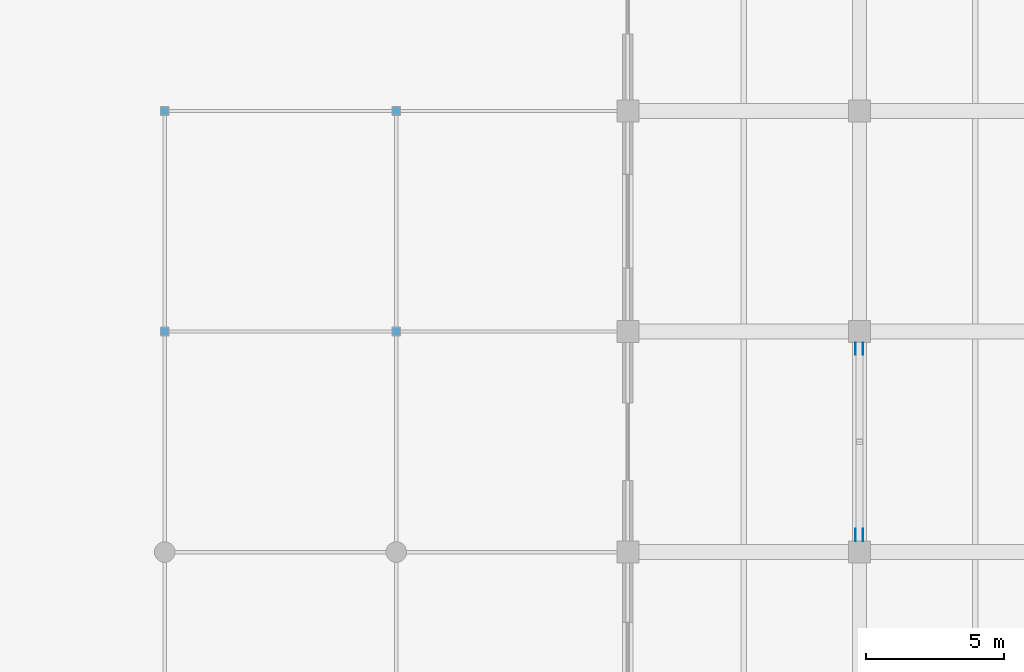
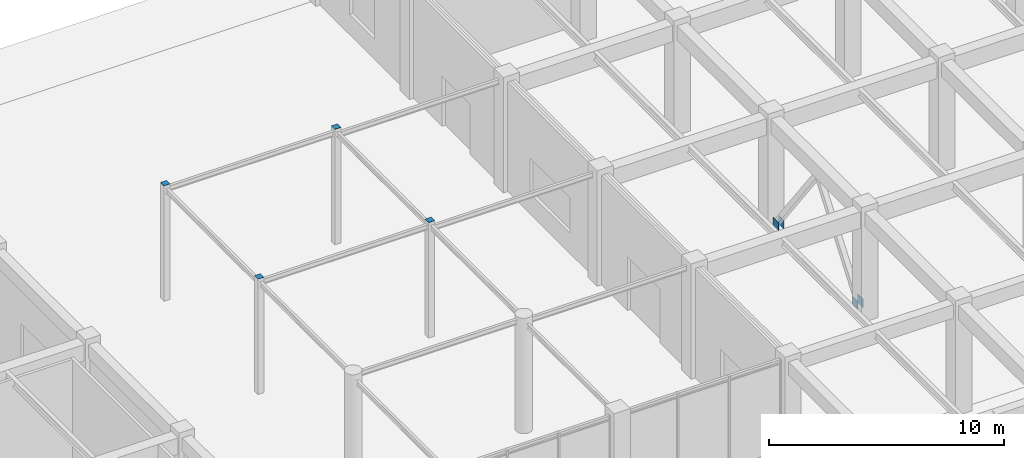
# One storey, part 65 of 76: 8 discrete accessories.
"""IFC4 building model written with IfcOpenShell, lengths in metres."""

import ifcopenshell
import ifcopenshell.guid

model = None  # the IFC model being written
_history = None  # IfcOwnerHistory: only IFC2X3 demands one
_inside = {}  # id of a spatial element -> (the spatial element, [elements in it])
_under = {}  # id of a project, library or spatial element -> (it, [spatial elements below it])
_declared = {}  # id of a project -> (the project, [libraries it declares])
_typed = {}  # id of a type object -> (the type object, [elements of that type])
_made_of = {}  # id of a material, layer set ... -> (it, [elements and type objects made of it])


def new_model(schema):
    """Start an empty IFC model of exactly this schema.

    Asked for "IFC4X3", IfcOpenShell would pick the latest addendum, in which some entities
    have other attributes; the version numbers below select the first issue.
    IFC2X3 requires an IfcOwnerHistory on every rooted entity: one is made here for all.
    """
    global model, _history
    if schema == "IFC4X3":
        model = ifcopenshell.file(schema_version=(4, 3, 0, 0))
    else:
        model = ifcopenshell.file(schema=schema)
    _inside.clear()
    _under.clear()
    _declared.clear()
    _typed.clear()
    _made_of.clear()
    _history = None
    if model.schema == "IFC2X3":
        org = make("IfcOrganization", Name="unknown")
        user = make(
            "IfcPersonAndOrganization",
            ThePerson=make("IfcPerson", FamilyName="unknown"),
            TheOrganization=org,
        )
        app = make(
            "IfcApplication",
            ApplicationDeveloper=org,
            Version="unknown",
            ApplicationFullName="unknown",
            ApplicationIdentifier="unknown",
        )
        _history = make(
            "IfcOwnerHistory",
            OwningUser=user,
            OwningApplication=app,
            ChangeAction="ADDED",
            CreationDate=0,
        )
    return model


def make(cls, **values):
    """One entity of the class cls with the attributes given. An attribute that is None is left unset."""
    return model.create_entity(
        cls, **{name: value for name, value in values.items() if value is not None}
    )


def rooted(cls, **values):
    """An entity with a GlobalId (a new one), such as an element, a storey or a relation."""
    return make(cls, GlobalId=ifcopenshell.guid.new(), OwnerHistory=_history, **values)


def si_unit(unit_type, name, prefix=None):
    """IfcSIUnit, for example si_unit("LENGTHUNIT", "METRE", prefix="MILLI")."""
    return make("IfcSIUnit", UnitType=unit_type, Prefix=prefix, Name=name)


def assignment(units):
    """IfcUnitAssignment: the units of a project."""
    return None if units is None else make("IfcUnitAssignment", Units=units)


def point(xyz):
    """IfcCartesianPoint."""
    return None if xyz is None else make("IfcCartesianPoint", Coordinates=xyz)


def direction(xyz):
    """IfcDirection."""
    return None if xyz is None else make("IfcDirection", DirectionRatios=xyz)


def frame(location, z_axis=None, x_axis=None):
    """IfcAxis2Placement3D, a coordinate frame: its origin and axes. An axis left out is left unset."""
    return make(
        "IfcAxis2Placement3D",
        Location=point(location),
        Axis=direction(z_axis),
        RefDirection=direction(x_axis),
    )


def frame_2d(location, x_axis=None):
    """IfcAxis2Placement2D, a coordinate frame in the plane: its origin and x axis."""
    return make(
        "IfcAxis2Placement2D", Location=point(location), RefDirection=direction(x_axis)
    )


def origin():
    """The frame at (0, 0, 0) with its axes left unset."""
    return frame((0.0, 0.0, 0.0))


def origin_2d():
    """The frame at (0, 0) in the plane with its x axis left unset."""
    return frame_2d((0.0, 0.0))


def place(relative_to, where):
    """IfcLocalPlacement: puts the frame where relative to a parent placement (None: the world)."""
    return make(
        "IfcLocalPlacement", PlacementRelTo=relative_to, RelativePlacement=where
    )


def context(
    kind, dimensions, precision=None, world=None, true_north=None, identifier=None
):
    """IfcGeometricRepresentationContext, for example the 3D "Model" context."""
    return make(
        "IfcGeometricRepresentationContext",
        ContextIdentifier=identifier,
        ContextType=kind,
        CoordinateSpaceDimension=dimensions,
        Precision=precision,
        WorldCoordinateSystem=world,
        TrueNorth=true_north,
    )


def subcontext(parent, identifier, kind, view, scale=None):
    """IfcGeometricRepresentationSubContext, for example "Body" below "Model"."""
    return make(
        "IfcGeometricRepresentationSubContext",
        ContextIdentifier=identifier,
        ContextType=kind,
        ParentContext=parent,
        TargetScale=scale,
        TargetView=view,
    )


def project(units=None, contexts=None):
    """IfcProject with its units and contexts."""
    return rooted(
        "IfcProject",
        Name="project",
        RepresentationContexts=contexts,
        UnitsInContext=assignment(units),
    )


def spatial(cls, under=None, at=None, **own):
    """A site, building, storey or space (cls), placed at a placement, below another one or the project."""
    s = rooted(cls, ObjectPlacement=at, **own)
    if under is not None:
        _under.setdefault(under.id(), (under, []))[1].append(s)
    return s


def profile(cls, at=None, kind="AREA", **sizes):
    """A parametric profile (cls). Its sizes go by their IFC names, for example OverallWidth=200.0."""
    return make(cls, ProfileType=kind, Position=at, **sizes)


def rectangle(**sizes):
    """IfcRectangleProfileDef."""
    return profile("IfcRectangleProfileDef", **sizes)


def extrude(swept, where, along, depth):
    """IfcExtrudedAreaSolid: the profile swept, set in the frame where, extruded along a direction by depth."""
    return make(
        "IfcExtrudedAreaSolid",
        SweptArea=swept,
        Position=where,
        ExtrudedDirection=direction(along),
        Depth=depth,
    )


def shape(context_of_items, identifier, shape_type, items):
    """IfcShapeRepresentation: the items that make up one representation, for example the "Body"."""
    return make(
        "IfcShapeRepresentation",
        ContextOfItems=context_of_items,
        RepresentationIdentifier=identifier,
        RepresentationType=shape_type,
        Items=items,
    )


def material(Name=None, Category=None):
    """IfcMaterial."""
    return make("IfcMaterial", Name=Name, Category=Category)


def layer(
    of_material, thickness, ventilated=None, Name=None, Category=None, Priority=None
):
    """IfcMaterialLayer: one layer of a wall or slab, of a material (None: an air gap)."""
    return make(
        "IfcMaterialLayer",
        Material=of_material,
        LayerThickness=thickness,
        IsVentilated=ventilated,
        Name=Name,
        Category=Category,
        Priority=Priority,
    )


def layer_set(layers, Name=None):
    """IfcMaterialLayerSet."""
    return make("IfcMaterialLayerSet", MaterialLayers=layers, LayerSetName=Name)


def made_of(thing, what):
    """Note that an element or type object is made of a material, layer set ...; save() writes the relation."""
    if what is not None:
        _made_of.setdefault(what.id(), (what, []))[1].append(thing)
    return thing


def type_object(cls, material=None, **own):
    """A type object (cls), such as IfcWallType, which elements share."""
    return made_of(rooted(cls, **own), material)


def element(
    cls,
    number,
    at=None,
    inside=None,
    cuts=None,
    type_object=None,
    material=None,
    context=None,
    identifier="Body",
    shape_type=None,
    held_by="IfcProductDefinitionShape",
    body=None,
    shapes=None,
    **own,
):
    """One element of the class cls, such as IfcWall. Its Tag is "e" and its number.

    at: its placement. inside: the storey or other place that contains it. cuts: it is an
    opening in that element (IfcRelVoidsElement). A single representation is given by context,
    identifier, shape_type and body (its items); several are given by shapes. held_by: the class
    of the entity that holds the representations. save() writes the other relations.
    """
    e = rooted(cls, Tag="e%d" % number, ObjectPlacement=at, **own)
    if body is not None:
        shapes = [shape(context, identifier, shape_type, body)]
    if shapes is not None:
        e.Representation = make(held_by, Representations=shapes)
    if inside is not None:
        _inside.setdefault(inside.id(), (inside, []))[1].append(e)
    if cuts is not None:
        rooted(
            "IfcRelVoidsElement", RelatingBuildingElement=cuts, RelatedOpeningElement=e
        )
    if type_object is not None:
        _typed.setdefault(type_object.id(), (type_object, []))[1].append(e)
    return made_of(e, material)


def aggregate(whole, parts):
    """IfcRelAggregates: a whole, such as a stair, and the parts it consists of."""
    return rooted("IfcRelAggregates", RelatingObject=whole, RelatedObjects=parts)


def save(model, path):
    """Write the relations noted so far, then the file.

    IfcRelAggregates (storeys below a building ...), IfcRelContainedInSpatialStructure (elements
    in a storey), IfcRelDefinesByType, IfcRelAssociatesMaterial and IfcRelDeclares: one each for
    every whole, place, type object, material and project.
    """
    for whole, parts in _under.values():
        aggregate(whole, parts)
    for where, things in _inside.values():
        rooted(
            "IfcRelContainedInSpatialStructure",
            RelatedElements=things,
            RelatingStructure=where,
        )
    for kind, things in _typed.values():
        rooted("IfcRelDefinesByType", RelatedObjects=things, RelatingType=kind)
    for what, things in _made_of.values():
        rooted("IfcRelAssociatesMaterial", RelatedObjects=things, RelatingMaterial=what)
    for by, libraries in _declared.values():
        rooted("IfcRelDeclares", RelatingContext=by, RelatedDefinitions=libraries)
    model.write(path)


model = new_model("IFC4")

# Units and contexts
model_context = context("Model", 3, precision=1e-05, world=origin(), true_north=direction((0.0, 1.0)))
body_context = subcontext(model_context, "Body", "Model", "MODEL_VIEW")
ifc_project = project(units=[si_unit("LENGTHUNIT", "METRE"), si_unit("AREAUNIT", "SQUARE_METRE"), si_unit("VOLUMEUNIT", "CUBIC_METRE"), si_unit("PLANEANGLEUNIT", "RADIAN"), si_unit("MASSUNIT", "GRAM", prefix="KILO")], contexts=[model_context])

# Site, building, storey
site_placement = place(None, origin())
site = spatial("IfcSite", under=ifc_project, at=site_placement, CompositionType="ELEMENT")
building_placement = place(site_placement, origin())
building = spatial("IfcBuilding", under=site, at=building_placement, Name="Naruveol Harbour Congress Hotel", CompositionType="ELEMENT")
storey_placement = place(building_placement, origin())
storey = spatial("IfcBuildingStorey", under=building, at=storey_placement, Name="L00", CompositionType="ELEMENT", Elevation=0.0)

# Discrete accessories
ifc_material_1 = material(Name="Steel SN490", Category="steel")
ifc_layer_1 = layer(ifc_material_1, 0.02001953125)
ifc_layer_set_1 = layer_set([ifc_layer_1], Name="Steel SN490")
discrete_accessory_type_1 = type_object("IfcDiscreteAccessoryType", Name="STEEL BRACE GUSSET PLATE 20", PredefinedType="USERDEFINED", material=ifc_layer_set_1)
for number, where, z_axis, x_axis, name in (
    (1, (75.465087890625, 80.625, 0.10986328125), (0.0, 0.0, 1.0), (0.0, 1.0, 0.0), "Brace gusset plate Lateral chevron brace L00 #8A (A)"),
    (2, (75.735107421875, 80.625, 0.10986328125), (0.0, 0.0, 1.0), (0.0, 1.0, 0.0), "Brace gusset plate Lateral chevron brace L00 #8A (B)"),
    (3, (75.735107421875, 87.375, 0.10986328125), (0.0, 0.0, 1.0), (0.0, -1.0, 0.0), "Brace gusset plate Lateral chevron brace L00 #8B (A)"),
    (4, (75.465087890625, 87.375, 0.10986328125), (0.0, 0.0, 1.0), (0.0, -1.0, 0.0), "Brace gusset plate Lateral chevron brace L00 #8B (B)"),
):
    element("IfcDiscreteAccessory", number, at=place(storey_placement, frame(where, z_axis=z_axis, x_axis=x_axis)), inside=storey, type_object=discrete_accessory_type_1, Name=name, ObjectType="BRACE GUSSET PLATE", PredefinedType="USERDEFINED", context=body_context, shape_type="SweptSolid", body=[
        extrude(rectangle(XDim=0.449951171875, YDim=0.02001953125, at=origin_2d()), origin(), (0.0, 0.0, 1.0), 0.449951171875),
    ])
ifc_material_2 = material(Name="Steel SN490", Category="steel")
ifc_layer_2 = layer(ifc_material_2, 0.011962890625)
ifc_layer_set_2 = layer_set([ifc_layer_2], Name="Steel SN490")
discrete_accessory_type_2 = type_object("IfcDiscreteAccessoryType", Name="STEEL COLUMN END CAP PLATE 12", PredefinedType="USERDEFINED", material=ifc_layer_set_2)
for number, where, z_axis, x_axis, name in (
    (5, (50.39990234375, 88.0, 6.0), (0.0, 0.0, 1.0), (1.0, 0.0, 0.0), "Column end cap plate SC-S300 (COL-L00-0504-0880)"),
    (6, (50.39990234375, 96.0, 6.0), (0.0, 0.0, 1.0), (1.0, 0.0, 0.0), "Column end cap plate SC-S300 (COL-L00-0504-0960)"),
    (7, (58.800048828125, 88.0, 6.0), (0.0, 0.0, 1.0), (1.0, 0.0, 0.0), "Column end cap plate SC-S300 (COL-L00-0588-0880)"),
    (8, (58.800048828125, 96.0, 6.0), (0.0, 0.0, 1.0), (1.0, 0.0, 0.0), "Column end cap plate SC-S300 (COL-L00-0588-0960)"),
):
    element("IfcDiscreteAccessory", number, at=place(storey_placement, frame(where, z_axis=z_axis, x_axis=x_axis)), inside=storey, type_object=discrete_accessory_type_2, Name=name, ObjectType="COLUMN END CAP PLATE", PredefinedType="USERDEFINED", context=body_context, shape_type="SweptSolid", body=[
        extrude(rectangle(XDim=0.300048828125, YDim=0.300048828125, at=origin_2d()), origin(), (0.0, 0.0, 1.0), 0.011962890625),
    ])

save(model, "model.ifc")
